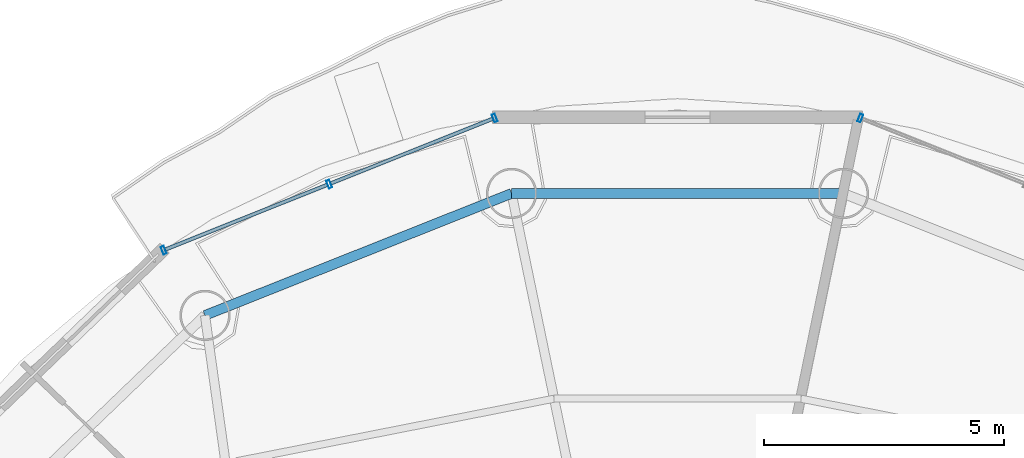
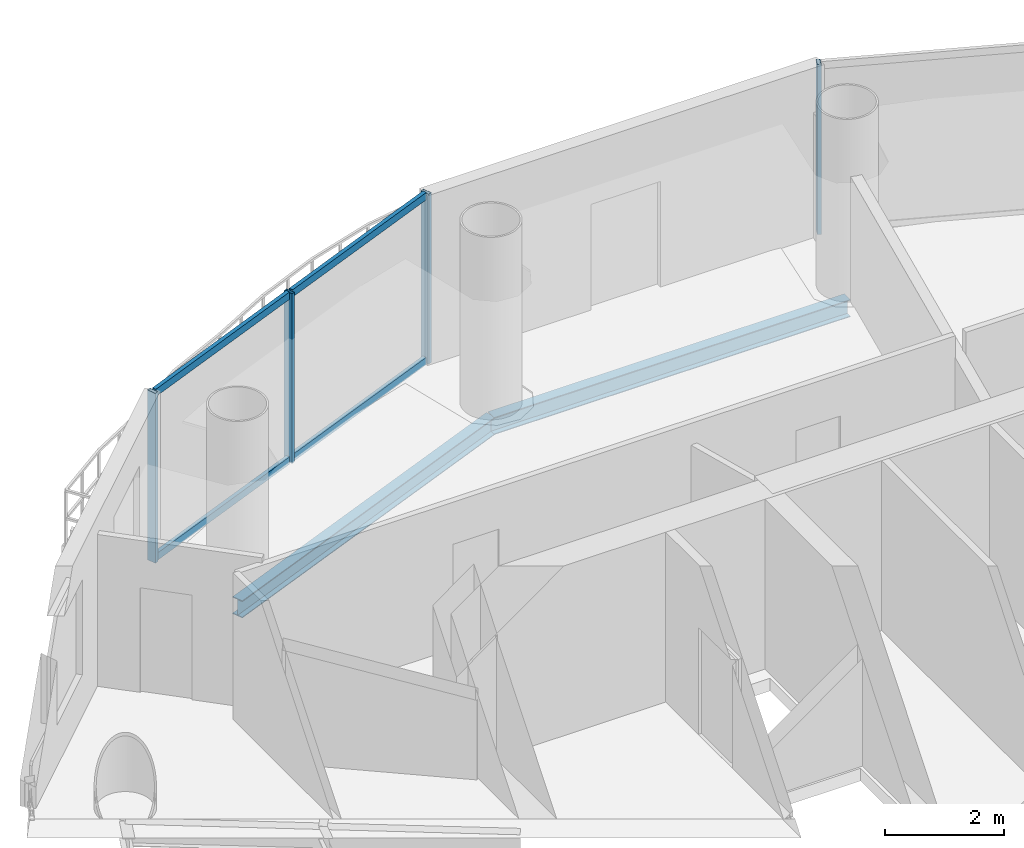
# One storey, part 11 of 21: 8 members, 2 beams, 2 elements without a shape of their own.
"""IFC4 building model written with IfcOpenShell, lengths in metres."""

import ifcopenshell
import ifcopenshell.guid

model = None  # the IFC model being written
_history = None  # IfcOwnerHistory: only IFC2X3 demands one
_inside = {}  # id of a spatial element -> (the spatial element, [elements in it])
_under = {}  # id of a project, library or spatial element -> (it, [spatial elements below it])
_declared = {}  # id of a project -> (the project, [libraries it declares])
_typed = {}  # id of a type object -> (the type object, [elements of that type])
_made_of = {}  # id of a material, layer set ... -> (it, [elements and type objects made of it])


def new_model(schema):
    """Start an empty IFC model of exactly this schema.

    Asked for "IFC4X3", IfcOpenShell would pick the latest addendum, in which some entities
    have other attributes; the version numbers below select the first issue.
    IFC2X3 requires an IfcOwnerHistory on every rooted entity: one is made here for all.
    """
    global model, _history
    if schema == "IFC4X3":
        model = ifcopenshell.file(schema_version=(4, 3, 0, 0))
    else:
        model = ifcopenshell.file(schema=schema)
    _inside.clear()
    _under.clear()
    _declared.clear()
    _typed.clear()
    _made_of.clear()
    _history = None
    if model.schema == "IFC2X3":
        org = make("IfcOrganization", Name="unknown")
        user = make(
            "IfcPersonAndOrganization",
            ThePerson=make("IfcPerson", FamilyName="unknown"),
            TheOrganization=org,
        )
        app = make(
            "IfcApplication",
            ApplicationDeveloper=org,
            Version="unknown",
            ApplicationFullName="unknown",
            ApplicationIdentifier="unknown",
        )
        _history = make(
            "IfcOwnerHistory",
            OwningUser=user,
            OwningApplication=app,
            ChangeAction="ADDED",
            CreationDate=0,
        )
    return model


def make(cls, **values):
    """One entity of the class cls with the attributes given. An attribute that is None is left unset."""
    return model.create_entity(
        cls, **{name: value for name, value in values.items() if value is not None}
    )


def rooted(cls, **values):
    """An entity with a GlobalId (a new one), such as an element, a storey or a relation."""
    return make(cls, GlobalId=ifcopenshell.guid.new(), OwnerHistory=_history, **values)


def si_unit(unit_type, name, prefix=None):
    """IfcSIUnit, for example si_unit("LENGTHUNIT", "METRE", prefix="MILLI")."""
    return make("IfcSIUnit", UnitType=unit_type, Prefix=prefix, Name=name)


def assignment(units):
    """IfcUnitAssignment: the units of a project."""
    return None if units is None else make("IfcUnitAssignment", Units=units)


def point(xyz):
    """IfcCartesianPoint."""
    return None if xyz is None else make("IfcCartesianPoint", Coordinates=xyz)


def direction(xyz):
    """IfcDirection."""
    return None if xyz is None else make("IfcDirection", DirectionRatios=xyz)


def frame(location, z_axis=None, x_axis=None):
    """IfcAxis2Placement3D, a coordinate frame: its origin and axes. An axis left out is left unset."""
    return make(
        "IfcAxis2Placement3D",
        Location=point(location),
        Axis=direction(z_axis),
        RefDirection=direction(x_axis),
    )


def frame_2d(location, x_axis=None):
    """IfcAxis2Placement2D, a coordinate frame in the plane: its origin and x axis."""
    return make(
        "IfcAxis2Placement2D", Location=point(location), RefDirection=direction(x_axis)
    )


def origin():
    """The frame at (0, 0, 0) with its axes left unset."""
    return frame((0.0, 0.0, 0.0))


def origin_2d():
    """The frame at (0, 0) in the plane with its x axis left unset."""
    return frame_2d((0.0, 0.0))


def place(relative_to, where):
    """IfcLocalPlacement: puts the frame where relative to a parent placement (None: the world)."""
    return make(
        "IfcLocalPlacement", PlacementRelTo=relative_to, RelativePlacement=where
    )


def context(
    kind, dimensions, precision=None, world=None, true_north=None, identifier=None
):
    """IfcGeometricRepresentationContext, for example the 3D "Model" context."""
    return make(
        "IfcGeometricRepresentationContext",
        ContextIdentifier=identifier,
        ContextType=kind,
        CoordinateSpaceDimension=dimensions,
        Precision=precision,
        WorldCoordinateSystem=world,
        TrueNorth=true_north,
    )


def subcontext(parent, identifier, kind, view, scale=None):
    """IfcGeometricRepresentationSubContext, for example "Body" below "Model"."""
    return make(
        "IfcGeometricRepresentationSubContext",
        ContextIdentifier=identifier,
        ContextType=kind,
        ParentContext=parent,
        TargetScale=scale,
        TargetView=view,
    )


def project(units=None, contexts=None):
    """IfcProject with its units and contexts."""
    return rooted(
        "IfcProject",
        Name="project",
        RepresentationContexts=contexts,
        UnitsInContext=assignment(units),
    )


def spatial(cls, under=None, at=None, **own):
    """A site, building, storey or space (cls), placed at a placement, below another one or the project."""
    s = rooted(cls, ObjectPlacement=at, **own)
    if under is not None:
        _under.setdefault(under.id(), (under, []))[1].append(s)
    return s


def profile(cls, at=None, kind="AREA", **sizes):
    """A parametric profile (cls). Its sizes go by their IFC names, for example OverallWidth=200.0."""
    return make(cls, ProfileType=kind, Position=at, **sizes)


def hollow_rectangle(**sizes):
    """IfcRectangleHollowProfileDef."""
    return profile("IfcRectangleHollowProfileDef", **sizes)


def i_section(**sizes):
    """IfcIShapeProfileDef."""
    return profile("IfcIShapeProfileDef", **sizes)


def extrude(swept, where, along, depth):
    """IfcExtrudedAreaSolid: the profile swept, set in the frame where, extruded along a direction by depth."""
    return make(
        "IfcExtrudedAreaSolid",
        SweptArea=swept,
        Position=where,
        ExtrudedDirection=direction(along),
        Depth=depth,
    )


def shape(context_of_items, identifier, shape_type, items):
    """IfcShapeRepresentation: the items that make up one representation, for example the "Body"."""
    return make(
        "IfcShapeRepresentation",
        ContextOfItems=context_of_items,
        RepresentationIdentifier=identifier,
        RepresentationType=shape_type,
        Items=items,
    )


def source(mapping_origin, context_of_items, identifier, shape_type, items):
    """IfcRepresentationMap: a shape defined once, which mapped items show again and again."""
    return make(
        "IfcRepresentationMap",
        MappingOrigin=mapping_origin,
        MappedRepresentation=shape(context_of_items, identifier, shape_type, items),
    )


def transform(
    local_origin,
    x_axis=None,
    y_axis=None,
    z_axis=None,
    scale=None,
    scale2=None,
    scale3=None,
    uniform=True,
):
    """IfcCartesianTransformationOperator3D, or its non-uniform kind. x_axis, y_axis, z_axis: its Axis1, 2, 3."""
    if uniform:
        return make(
            "IfcCartesianTransformationOperator3D",
            Axis1=direction(x_axis),
            Axis2=direction(y_axis),
            LocalOrigin=point(local_origin),
            Scale=scale,
            Axis3=direction(z_axis),
        )
    return make(
        "IfcCartesianTransformationOperator3DnonUniform",
        Axis1=direction(x_axis),
        Axis2=direction(y_axis),
        LocalOrigin=point(local_origin),
        Scale=scale,
        Axis3=direction(z_axis),
        Scale2=scale2,
        Scale3=scale3,
    )


def mapped(mapping_source, mapping_target):
    """IfcMappedItem: shows the shape of a source again, moved by a transform."""
    return make(
        "IfcMappedItem", MappingSource=mapping_source, MappingTarget=mapping_target
    )


def material(Name=None, Category=None):
    """IfcMaterial."""
    return make("IfcMaterial", Name=Name, Category=Category)


def material_profile(
    of_material, cross_section, Name=None, Category=None, Priority=None
):
    """IfcMaterialProfile: a cross section and its material."""
    return make(
        "IfcMaterialProfile",
        Name=Name,
        Material=of_material,
        Profile=cross_section,
        Priority=Priority,
        Category=Category,
    )


def profile_set(profiles, Name=None, composite=None):
    """IfcMaterialProfileSet."""
    return make(
        "IfcMaterialProfileSet",
        Name=Name,
        MaterialProfiles=profiles,
        CompositeProfile=composite,
    )


def made_of(thing, what):
    """Note that an element or type object is made of a material, layer set ...; save() writes the relation."""
    if what is not None:
        _made_of.setdefault(what.id(), (what, []))[1].append(thing)
    return thing


def type_object(cls, material=None, **own):
    """A type object (cls), such as IfcWallType, which elements share."""
    return made_of(rooted(cls, **own), material)


def element(
    cls,
    number,
    at=None,
    inside=None,
    cuts=None,
    type_object=None,
    material=None,
    context=None,
    identifier="Body",
    shape_type=None,
    held_by="IfcProductDefinitionShape",
    body=None,
    shapes=None,
    **own,
):
    """One element of the class cls, such as IfcWall. Its Tag is "e" and its number.

    at: its placement. inside: the storey or other place that contains it. cuts: it is an
    opening in that element (IfcRelVoidsElement). A single representation is given by context,
    identifier, shape_type and body (its items); several are given by shapes. held_by: the class
    of the entity that holds the representations. save() writes the other relations.
    """
    e = rooted(cls, Tag="e%d" % number, ObjectPlacement=at, **own)
    if body is not None:
        shapes = [shape(context, identifier, shape_type, body)]
    if shapes is not None:
        e.Representation = make(held_by, Representations=shapes)
    if inside is not None:
        _inside.setdefault(inside.id(), (inside, []))[1].append(e)
    if cuts is not None:
        rooted(
            "IfcRelVoidsElement", RelatingBuildingElement=cuts, RelatedOpeningElement=e
        )
    if type_object is not None:
        _typed.setdefault(type_object.id(), (type_object, []))[1].append(e)
    return made_of(e, material)


def aggregate(whole, parts):
    """IfcRelAggregates: a whole, such as a stair, and the parts it consists of."""
    return rooted("IfcRelAggregates", RelatingObject=whole, RelatedObjects=parts)


def save(model, path):
    """Write the relations noted so far, then the file.

    IfcRelAggregates (storeys below a building ...), IfcRelContainedInSpatialStructure (elements
    in a storey), IfcRelDefinesByType, IfcRelAssociatesMaterial and IfcRelDeclares: one each for
    every whole, place, type object, material and project.
    """
    for whole, parts in _under.values():
        aggregate(whole, parts)
    for where, things in _inside.values():
        rooted(
            "IfcRelContainedInSpatialStructure",
            RelatedElements=things,
            RelatingStructure=where,
        )
    for kind, things in _typed.values():
        rooted("IfcRelDefinesByType", RelatedObjects=things, RelatingType=kind)
    for what, things in _made_of.values():
        rooted("IfcRelAssociatesMaterial", RelatedObjects=things, RelatingMaterial=what)
    for by, libraries in _declared.values():
        rooted("IfcRelDeclares", RelatingContext=by, RelatedDefinitions=libraries)
    model.write(path)


model = new_model("IFC4")

# Units and contexts
model_context = context("Model", 3, precision=1e-05, world=origin(), true_north=direction((-0.2419218956, 0.970295726276)))
body_context = subcontext(model_context, "Body", "Model", "MODEL_VIEW")
ifc_project = project(units=[si_unit("LENGTHUNIT", "METRE"), si_unit("AREAUNIT", "SQUARE_METRE"), si_unit("VOLUMEUNIT", "CUBIC_METRE"), si_unit("PLANEANGLEUNIT", "RADIAN"), si_unit("MASSUNIT", "GRAM", prefix="KILO")], contexts=[model_context])

# Site, building, storey
site_placement = place(None, origin())
site = spatial("IfcSite", under=ifc_project, at=site_placement, CompositionType="ELEMENT")
building_placement = place(site_placement, origin())
building = spatial("IfcBuilding", under=site, at=building_placement, Name="Cobrevalo Terracotta Tower", CompositionType="ELEMENT")
storey_placement = place(building_placement, frame((0.0, 0.0, 281.949951171875)))
storey = spatial("IfcBuildingStorey", under=building, at=storey_placement, Name="L74", CompositionType="ELEMENT", Elevation=281.949951171875)

# Beams
ifc_material_1 = material(Name="Steel S355", Category="steel")
ifc_material_profile_1 = material_profile(ifc_material_1, i_section(OverallWidth=0.205078125, OverallDepth=0.35400390625, WebThickness=0.009521484375, FlangeThickness=0.016845703125, at=origin_2d()), Name="W 360x79")
ifc_profile_set_1 = profile_set([ifc_material_profile_1], Name="Steel S355")
beam_type = type_object("IfcBeamType", Name="Structural Spandrel W 360x79 (Steel S355)", PredefinedType="SPANDREL", material=ifc_profile_set_1)
beam_1_placement = place(storey_placement, frame((41.462890625, 43.5224609375, -0.43701171875), z_axis=(-1.0, 0.0, 0.0), x_axis=(0.0, -1.0, 0.0)))
element("IfcBeam", 1, at=beam_1_placement, inside=storey, type_object=beam_type, Name="L74 perimeter ring spandrel 04", PredefinedType="SPANDREL", context=body_context, shape_type="SweptSolid", body=[
    extrude(i_section(OverallWidth=0.205078125, OverallDepth=0.35400390625, WebThickness=0.009521484375, FlangeThickness=0.016845703125, at=origin_2d()), origin(), (0.0, 0.0, 1.0), 6.92578125),
])
beam_2_placement = place(storey_placement, frame((34.537109375, 43.5224609375, -0.43701171875), z_axis=(-0.929149986048, -0.369702993533, 0.0), x_axis=(0.369702993533, -0.929149986048, 0.0)))
element("IfcBeam", 2, at=beam_2_placement, inside=storey, type_object=beam_type, Name="L74 perimeter ring spandrel 05", PredefinedType="SPANDREL", context=body_context, shape_type="SweptSolid", body=[
    extrude(i_section(OverallWidth=0.205078125, OverallDepth=0.35400390625, WebThickness=0.009521484375, FlangeThickness=0.016845703125, at=origin_2d()), origin(), (0.0, 0.0, 1.0), 6.88623046875),
])

# Curtain wall, member
ifc_material_2 = material(Name="Anodized aluminium", Category="aluminium")
curtain_wall_type = type_object("IfcCurtainWallType", Name="Upper-tower triple-glazed penthouse curtain wall CW-U3", PredefinedType="NOTDEFINED", material=ifc_material_2)
curtain_wall_1_placement = place(storey_placement, origin())
curtain_wall_1 = element("IfcCurtainWall", 3, at=curtain_wall_1_placement, inside=storey, type_object=curtain_wall_type, Name="L74 curtain wall CW-L74-S03", PredefinedType="NOTDEFINED")
ifc_material_profile_2 = material_profile(ifc_material_2, hollow_rectangle(XDim=0.070068359375, YDim=0.169921875, WallThickness=0.00439453125, at=origin_2d()), Name="CWM 70x170")
ifc_profile_set_2 = profile_set([ifc_material_profile_2], Name="Anodized aluminium")
member_type_1 = type_object("IfcMemberType", Name="Upper tower unitised mullion 70x170", PredefinedType="MULLION", material=ifc_profile_set_2)
shared_shape_1 = source(origin(), body_context, "Body", "SweptSolid", [
    extrude(hollow_rectangle(XDim=0.070068359375, YDim=0.169921875, WallThickness=0.00439453125, at=origin_2d()), origin(), (0.0, 0.0, 1.0), 3.489990234375),
])
member_1_placement = place(storey_placement, frame((41.816162109375, 45.096435546875, 0.0), z_axis=(0.0, 0.0, 1.0), x_axis=(-0.928718980883, 0.370784377433, 0.0)))
member_1 = element("IfcMember", 4, at=member_1_placement, type_object=member_type_1, Name="CW-L74-S03 vertical mullion 03", PredefinedType="MULLION", context=body_context, shape_type="MappedRepresentation", body=[
    mapped(shared_shape_1, transform((0.0, 0.0, 0.0), scale=1.0)),
])
aggregate(curtain_wall_1, [member_1])

# Curtain wall, members
curtain_wall_2_placement = place(storey_placement, origin())
curtain_wall_2 = element("IfcCurtainWall", 5, at=curtain_wall_2_placement, inside=storey, type_object=curtain_wall_type, Name="L74 curtain wall CW-L74-S05", PredefinedType="NOTDEFINED")
member_2_placement = place(storey_placement, frame((34.183837890625, 45.096435546875, 0.0), z_axis=(0.0, 0.0, 1.0), x_axis=(-0.928718980883, -0.370784377433, 0.0)))
member_2 = element("IfcMember", 6, at=member_2_placement, type_object=member_type_1, Name="CW-L74-S05 vertical mullion 01", PredefinedType="MULLION", context=body_context, shape_type="MappedRepresentation", body=[
    mapped(shared_shape_1, transform((0.0, 0.0, 0.0), scale=1.0)),
])
member_3_placement = place(storey_placement, frame((30.729736328125, 43.71728515625, 0.0), z_axis=(0.0, 0.0, 1.0), x_axis=(-0.928718980883, -0.370784377433, 0.0)))
member_3 = element("IfcMember", 7, at=member_3_placement, type_object=member_type_1, Name="CW-L74-S05 vertical mullion 02", PredefinedType="MULLION", context=body_context, shape_type="MappedRepresentation", body=[
    mapped(shared_shape_1, transform((0.0, 0.0, 0.0), scale=1.0)),
])
member_4_placement = place(storey_placement, frame((27.275634765625, 42.33837890625, 0.0), z_axis=(0.0, 0.0, 1.0), x_axis=(-0.928718980883, -0.370784377433, 0.0)))
member_4 = element("IfcMember", 8, at=member_4_placement, type_object=member_type_1, Name="CW-L74-S05 vertical mullion 03", PredefinedType="MULLION", context=body_context, shape_type="MappedRepresentation", body=[
    mapped(shared_shape_1, transform((0.0, 0.0, 0.0), scale=1.0)),
])
ifc_material_profile_3 = material_profile(ifc_material_2, hollow_rectangle(XDim=0.074951171875, YDim=0.14990234375, WallThickness=0.00439453125, at=origin_2d()), Name="CWT 75x150")
ifc_profile_set_3 = profile_set([ifc_material_profile_3], Name="Anodized aluminium")
member_type_2 = type_object("IfcMemberType", Name="Tower unitised aluminium transom 75x150", PredefinedType="USERDEFINED", material=ifc_profile_set_3)
shared_shape_2 = source(origin(), body_context, "Body", "SweptSolid", [
    extrude(hollow_rectangle(XDim=0.074951171875, YDim=0.14990234375, WallThickness=0.00439453125, at=origin_2d()), origin(), (0.0, 0.0, 1.0), 3.63916015625),
])
member_5_placement = place(storey_placement, frame((34.146728515625, 45.08154296875, 0.050048828125), z_axis=(-0.928712471544, -0.370800681227, 0.0), x_axis=(0.370800681227, -0.928712471544, 0.0)))
member_5 = element("IfcMember", 9, at=member_5_placement, type_object=member_type_2, Name="CW-L74-S05 transom B01-T1", ObjectType="TRANSOM", PredefinedType="USERDEFINED", context=body_context, shape_type="MappedRepresentation", body=[
    mapped(shared_shape_2, transform((0.0, 0.0, 0.0), scale=1.0)),
])
member_6_placement = place(storey_placement, frame((34.146728515625, 45.08154296875, 3.43994140625), z_axis=(-0.928712471544, -0.370800681227, 0.0), x_axis=(0.370800681227, -0.928712471544, 0.0)))
member_6 = element("IfcMember", 10, at=member_6_placement, type_object=member_type_2, Name="CW-L74-S05 transom B01-T2", ObjectType="TRANSOM", PredefinedType="USERDEFINED", context=body_context, shape_type="MappedRepresentation", body=[
    mapped(shared_shape_2, transform((0.0, 0.0, 0.0), scale=1.0)),
])
member_7_placement = place(storey_placement, frame((30.692626953125, 43.70263671875, 0.050048828125), z_axis=(-0.928712471544, -0.370800681227, 0.0), x_axis=(0.370800681227, -0.928712471544, 0.0)))
member_7 = element("IfcMember", 11, at=member_7_placement, type_object=member_type_2, Name="CW-L74-S05 transom B02-T1", ObjectType="TRANSOM", PredefinedType="USERDEFINED", context=body_context, shape_type="MappedRepresentation", body=[
    mapped(shared_shape_2, transform((0.0, 0.0, 0.0), scale=1.0)),
])
member_8_placement = place(storey_placement, frame((30.692626953125, 43.70263671875, 3.43994140625), z_axis=(-0.928712471544, -0.370800681227, 0.0), x_axis=(0.370800681227, -0.928712471544, 0.0)))
member_8 = element("IfcMember", 12, at=member_8_placement, type_object=member_type_2, Name="CW-L74-S05 transom B02-T2", ObjectType="TRANSOM", PredefinedType="USERDEFINED", context=body_context, shape_type="MappedRepresentation", body=[
    mapped(shared_shape_2, transform((0.0, 0.0, 0.0), scale=1.0)),
])
aggregate(curtain_wall_2, [member_2, member_3, member_4, member_5, member_6, member_7, member_8])

save(model, "model.ifc")
